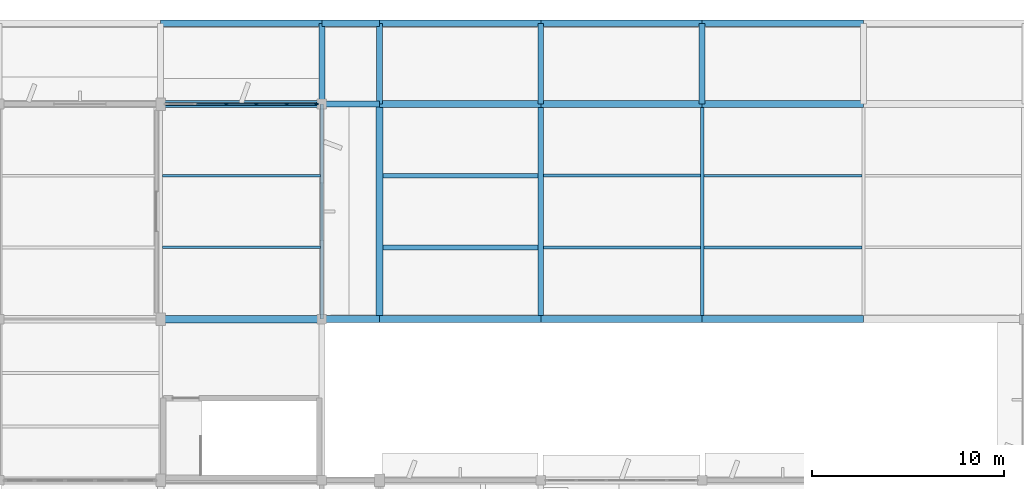
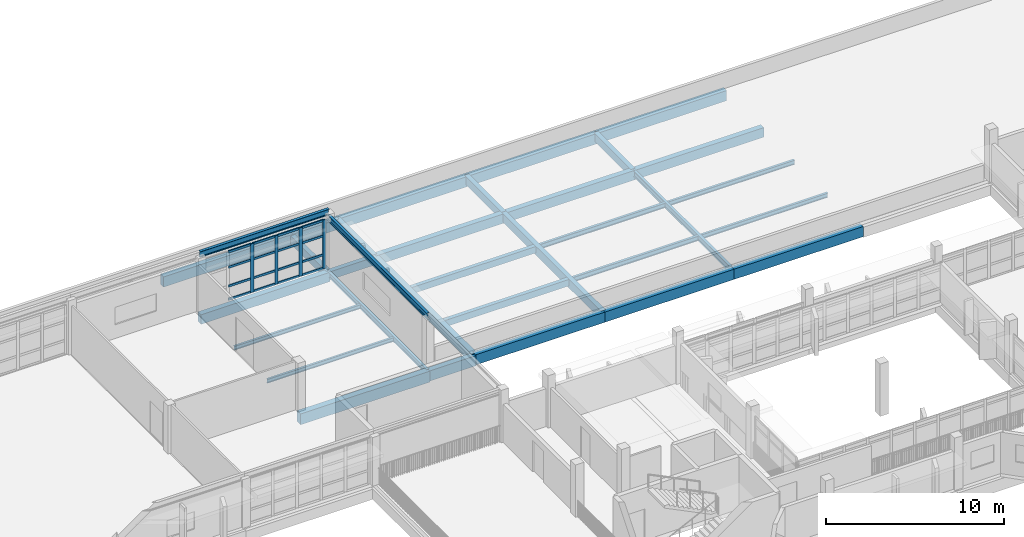
# One storey, part 34 of 92: 33 beams, 20 members, 1 element without a shape of its own.
"""IFC4 building model written with IfcOpenShell, lengths in metres."""

from ifc_helpers import new_model, si_unit, direction, frame, origin, origin_2d, place, context, subcontext, project, spatial, rectangle, i_section, extrude, material, material_profile, profile_set, type_object, element, aggregate, save


model = new_model("IFC4")

# Units and contexts
model_context = context("Model", 3, precision=1e-05, world=origin(), true_north=direction((0.0, 1.0)))
body_context = subcontext(model_context, "Body", "Model", "MODEL_VIEW")
ifc_project = project(units=[si_unit("LENGTHUNIT", "METRE"), si_unit("AREAUNIT", "SQUARE_METRE"), si_unit("VOLUMEUNIT", "CUBIC_METRE"), si_unit("PLANEANGLEUNIT", "RADIAN"), si_unit("MASSUNIT", "GRAM", prefix="KILO")], contexts=[model_context])

# Site, building, storey
site_placement = place(None, origin())
site = spatial("IfcSite", under=ifc_project, at=site_placement, CompositionType="ELEMENT")
building_placement = place(site_placement, origin())
building = spatial("IfcBuilding", under=site, at=building_placement, Name="Vanh Quang Courtyard School", CompositionType="ELEMENT")
storey_placement = place(building_placement, frame((0.0, 0.0, 7.800048828125)))
storey = spatial("IfcBuildingStorey", under=building, at=storey_placement, Name="L02", CompositionType="ELEMENT", Elevation=7.800048828125)

# Beams
ifc_material_1 = material(Name="Concrete C35/45", Category="concrete")
ifc_material_profile_1 = material_profile(ifc_material_1, rectangle(XDim=0.300048828125, YDim=0.550048828125, at=origin_2d()), Name="RC-BM 300x550")
ifc_profile_set_1 = profile_set([ifc_material_profile_1], Name="Concrete C35/45")
beam_type_1 = type_object("IfcBeamType", Name="BM-RC-300x550", PredefinedType="BEAM", material=ifc_profile_set_1)
beam_1_placement = place(storey_placement, frame((37.800048828125, 107.800048828125, -0.554931640625), z_axis=(1.0, 0.0, 0.0), x_axis=(0.0, 1.0, 0.0)))
element("IfcBeam", 1, at=beam_1_placement, inside=storey, type_object=beam_type_1, Name="Beam B-07 (L02)", PredefinedType="BEAM", context=body_context, shape_type="SweptSolid", body=[
    extrude(rectangle(XDim=0.300048828125, YDim=0.550048828125, at=origin_2d()), origin(), (0.0, 0.0, 1.0), 3.0),
])
for number, where, z_axis, x_axis, name in (
    (2, (37.800048828125, 107.800048828125, -0.554931640625), (0.0, 1.0, 0.0), (-1.0, 0.0, 0.0), "Beam B-07 (L02)"),
    (3, (40.800048828125, 107.800048828125, -0.4951171875), (0.0, 1.0, 0.0), (-1.0, 0.0, 0.0), "Beam B-07 (L02)"),
    (4, (49.199951171875, 107.800048828125, -0.4951171875), (0.0, 1.0, 0.0), (-1.0, 0.0, 0.0), "Beam B-07 (L02)"),
    (5, (57.60009765625, 107.800048828125, -0.4951171875), (0.0, 1.0, 0.0), (-1.0, 0.0, 0.0), "Beam B-07 (L02)"),
):
    element("IfcBeam", number, at=place(storey_placement, frame(where, z_axis=z_axis, x_axis=x_axis)), inside=storey, type_object=beam_type_1, Name=name, PredefinedType="BEAM", context=body_context, shape_type="SweptSolid", body=[
        extrude(rectangle(XDim=0.300048828125, YDim=0.550048828125, at=origin_2d()), origin(), (0.0, 0.0, 1.0), 4.199951171875),
    ])
ifc_material_profile_2 = material_profile(ifc_material_1, rectangle(XDim=0.300048828125, YDim=0.60009765625, at=origin_2d()), Name="RC-BM 300x600")
ifc_profile_set_2 = profile_set([ifc_material_profile_2], Name="Concrete C35/45")
beam_type_2 = type_object("IfcBeamType", Name="BM-RC-300x600", PredefinedType="BEAM", material=ifc_profile_set_2)
beam_2_placement = place(storey_placement, frame((49.199951171875, 96.60009765625, -0.52001953125), z_axis=(0.0, 1.0, 0.0), x_axis=(-1.0, 0.0, 0.0)))
element("IfcBeam", 6, at=beam_2_placement, inside=storey, type_object=beam_type_2, Name="Beam B-06 (L02)", PredefinedType="BEAM", context=body_context, shape_type="SweptSolid", body=[
    extrude(rectangle(XDim=0.300048828125, YDim=0.60009765625, at=origin_2d()), origin(), (0.0, 0.0, 1.0), 11.199951171875),
])
ifc_material_profile_3 = material_profile(ifc_material_1, rectangle(XDim=0.35009765625, YDim=0.64990234375, at=origin_2d()), Name="RC-BM 350x650")
ifc_profile_set_3 = profile_set([ifc_material_profile_3], Name="Concrete C35/45")
beam_type_3 = type_object("IfcBeamType", Name="BM-RC-350x650", PredefinedType="BEAM", material=ifc_profile_set_3)
beam_3_placement = place(storey_placement, frame((29.39990234375, 107.800048828125, -0.60498046875), z_axis=(1.0, 0.0, 0.0), x_axis=(0.0, 1.0, 0.0)))
element("IfcBeam", 7, at=beam_3_placement, inside=storey, type_object=beam_type_3, Name="Beam B-05 (L02)", PredefinedType="BEAM", context=body_context, shape_type="SweptSolid", body=[
    extrude(rectangle(XDim=0.35009765625, YDim=0.64990234375, at=origin_2d()), origin(), (0.0, 0.0, 1.0), 8.400146484375),
])
beam_4_placement = place(storey_placement, frame((40.800048828125, 107.800048828125, -0.545166015625), z_axis=(1.0, 0.0, 0.0), x_axis=(0.0, 1.0, 0.0)))
element("IfcBeam", 8, at=beam_4_placement, inside=storey, type_object=beam_type_3, Name="Beam B-05 (L02)", PredefinedType="BEAM", context=body_context, shape_type="SweptSolid", body=[
    extrude(rectangle(XDim=0.35009765625, YDim=0.64990234375, at=origin_2d()), origin(), (0.0, 0.0, 1.0), 8.39990234375),
])
beam_5_placement = place(storey_placement, frame((49.199951171875, 107.800048828125, -0.545166015625), z_axis=(1.0, 0.0, 0.0), x_axis=(0.0, 1.0, 0.0)))
element("IfcBeam", 9, at=beam_5_placement, inside=storey, type_object=beam_type_3, Name="Beam B-05 (L02)", PredefinedType="BEAM", context=body_context, shape_type="SweptSolid", body=[
    extrude(rectangle(XDim=0.35009765625, YDim=0.64990234375, at=origin_2d()), origin(), (0.0, 0.0, 1.0), 8.400146484375),
])
beam_6_placement = place(storey_placement, frame((57.60009765625, 107.800048828125, -0.545166015625), z_axis=(1.0, 0.0, 0.0), x_axis=(0.0, 1.0, 0.0)))
element("IfcBeam", 10, at=beam_6_placement, inside=storey, type_object=beam_type_3, Name="Beam B-05 (L02)", PredefinedType="BEAM", context=body_context, shape_type="SweptSolid", body=[
    extrude(rectangle(XDim=0.35009765625, YDim=0.64990234375, at=origin_2d()), origin(), (0.0, 0.0, 1.0), 8.39990234375),
])
beam_7_placement = place(storey_placement, frame((40.800048828125, 96.60009765625, -0.545166015625), z_axis=(0.0, 1.0, 0.0), x_axis=(-1.0, 0.0, 0.0)))
element("IfcBeam", 11, at=beam_7_placement, inside=storey, type_object=beam_type_3, Name="Beam B-05 (L02)", PredefinedType="BEAM", context=body_context, shape_type="SweptSolid", body=[
    extrude(rectangle(XDim=0.35009765625, YDim=0.64990234375, at=origin_2d()), origin(), (0.0, 0.0, 1.0), 11.199951171875),
])
ifc_material_profile_4 = material_profile(ifc_material_1, rectangle(XDim=0.35009765625, YDim=0.699951171875, at=origin_2d()), Name="RC-BM 350x700")
ifc_profile_set_4 = profile_set([ifc_material_profile_4], Name="Concrete C35/45")
beam_type_4 = type_object("IfcBeamType", Name="BM-RC-350x700", PredefinedType="BEAM", material=ifc_profile_set_4)
beam_8_placement = place(storey_placement, frame((37.800048828125, 96.60009765625, -0.630126953125), z_axis=(1.0, 0.0, 0.0), x_axis=(0.0, 1.0, 0.0)))
element("IfcBeam", 12, at=beam_8_placement, inside=storey, type_object=beam_type_4, Name="Beam B-04 (L02)", PredefinedType="BEAM", context=body_context, shape_type="SweptSolid", body=[
    extrude(rectangle(XDim=0.35009765625, YDim=0.699951171875, at=origin_2d()), origin(), (0.0, 0.0, 1.0), 3.0),
])
beam_9_placement = place(storey_placement, frame((40.800048828125, 96.60009765625, -0.570068359375), z_axis=(1.0, 0.0, 0.0), x_axis=(0.0, 1.0, 0.0)))
element("IfcBeam", 13, at=beam_9_placement, inside=storey, type_object=beam_type_4, Name="Beam B-04 (L02)", PredefinedType="BEAM", context=body_context, shape_type="SweptSolid", body=[
    extrude(rectangle(XDim=0.35009765625, YDim=0.699951171875, at=origin_2d()), origin(), (0.0, 0.0, 1.0), 8.39990234375),
])
beam_10_placement = place(storey_placement, frame((49.199951171875, 96.60009765625, -0.570068359375), z_axis=(1.0, 0.0, 0.0), x_axis=(0.0, 1.0, 0.0)))
element("IfcBeam", 14, at=beam_10_placement, inside=storey, type_object=beam_type_4, Name="Beam B-04 (L02)", PredefinedType="BEAM", context=body_context, shape_type="SweptSolid", body=[
    extrude(rectangle(XDim=0.35009765625, YDim=0.699951171875, at=origin_2d()), origin(), (0.0, 0.0, 1.0), 8.400146484375),
])
beam_11_placement = place(storey_placement, frame((57.60009765625, 96.60009765625, -0.570068359375), z_axis=(1.0, 0.0, 0.0), x_axis=(0.0, 1.0, 0.0)))
element("IfcBeam", 15, at=beam_11_placement, inside=storey, type_object=beam_type_4, Name="Beam B-04 (L02)", PredefinedType="BEAM", context=body_context, shape_type="SweptSolid", body=[
    extrude(rectangle(XDim=0.35009765625, YDim=0.699951171875, at=origin_2d()), origin(), (0.0, 0.0, 1.0), 8.39990234375),
])
beam_12_placement = place(storey_placement, frame((29.39990234375, 112.0, -0.570068359375), z_axis=(1.0, 0.0, 0.0), x_axis=(0.0, 1.0, 0.0)))
element("IfcBeam", 16, at=beam_12_placement, inside=storey, type_object=beam_type_4, Name="Beam B-04 (L02)", PredefinedType="BEAM", context=body_context, shape_type="SweptSolid", body=[
    extrude(rectangle(XDim=0.35009765625, YDim=0.699951171875, at=origin_2d()), origin(), (0.0, 0.0, 1.0), 8.400146484375),
])
beam_13_placement = place(storey_placement, frame((37.800048828125, 112.0, -0.570068359375), z_axis=(1.0, 0.0, 0.0), x_axis=(0.0, 1.0, 0.0)))
element("IfcBeam", 17, at=beam_13_placement, inside=storey, type_object=beam_type_4, Name="Beam B-04 (L02)", PredefinedType="BEAM", context=body_context, shape_type="SweptSolid", body=[
    extrude(rectangle(XDim=0.35009765625, YDim=0.699951171875, at=origin_2d()), origin(), (0.0, 0.0, 1.0), 3.0),
])
beam_14_placement = place(storey_placement, frame((40.800048828125, 112.0, -0.570068359375), z_axis=(1.0, 0.0, 0.0), x_axis=(0.0, 1.0, 0.0)))
element("IfcBeam", 18, at=beam_14_placement, inside=storey, type_object=beam_type_4, Name="Beam B-04 (L02)", PredefinedType="BEAM", context=body_context, shape_type="SweptSolid", body=[
    extrude(rectangle(XDim=0.35009765625, YDim=0.699951171875, at=origin_2d()), origin(), (0.0, 0.0, 1.0), 8.39990234375),
])
beam_15_placement = place(storey_placement, frame((49.199951171875, 112.0, -0.570068359375), z_axis=(1.0, 0.0, 0.0), x_axis=(0.0, 1.0, 0.0)))
element("IfcBeam", 19, at=beam_15_placement, inside=storey, type_object=beam_type_4, Name="Beam B-04 (L02)", PredefinedType="BEAM", context=body_context, shape_type="SweptSolid", body=[
    extrude(rectangle(XDim=0.35009765625, YDim=0.699951171875, at=origin_2d()), origin(), (0.0, 0.0, 1.0), 8.400146484375),
])
beam_16_placement = place(storey_placement, frame((57.60009765625, 112.0, -0.570068359375), z_axis=(1.0, 0.0, 0.0), x_axis=(0.0, 1.0, 0.0)))
element("IfcBeam", 20, at=beam_16_placement, inside=storey, type_object=beam_type_4, Name="Beam B-04 (L02)", PredefinedType="BEAM", context=body_context, shape_type="SweptSolid", body=[
    extrude(rectangle(XDim=0.35009765625, YDim=0.699951171875, at=origin_2d()), origin(), (0.0, 0.0, 1.0), 8.39990234375),
])
ifc_material_profile_5 = material_profile(ifc_material_1, rectangle(XDim=0.39990234375, YDim=0.75, at=origin_2d()), Name="RC-BM 400x750")
ifc_profile_set_5 = profile_set([ifc_material_profile_5], Name="Concrete C35/45")
beam_type_5 = type_object("IfcBeamType", Name="BM-RC-400x750", PredefinedType="BEAM", material=ifc_profile_set_5)
beam_17_placement = place(storey_placement, frame((29.39990234375, 96.60009765625, -0.655029296875), z_axis=(1.0, 0.0, 0.0), x_axis=(0.0, 1.0, 0.0)))
element("IfcBeam", 21, at=beam_17_placement, inside=storey, type_object=beam_type_5, Name="Beam B-03 (L02)", PredefinedType="BEAM", context=body_context, shape_type="SweptSolid", body=[
    extrude(rectangle(XDim=0.39990234375, YDim=0.75, at=origin_2d()), origin(), (0.0, 0.0, 1.0), 8.400146484375),
])
ifc_material_2 = material(Name="Structural steel EN 10025-2 S355J2", Category="steel")
ifc_material_profile_6 = material_profile(ifc_material_2, i_section(OverallWidth=0.169921875, OverallDepth=0.360107421875, WebThickness=0.008056640625, FlangeThickness=0.0126953125, FilletRadius=0.01806640625, at=origin_2d()), Name="IPE 360")
ifc_profile_set_6 = profile_set([ifc_material_profile_6], Name="Structural steel EN 10025-2 S355J2")
beam_type_6 = type_object("IfcBeamType", Name="BM-STL-IPE360", PredefinedType="BEAM", material=ifc_profile_set_6)
beam_18_placement = place(storey_placement, frame((37.800048828125, 96.60009765625, -0.4599609375), z_axis=(0.0, 1.0, 0.0), x_axis=(-1.0, 0.0, 0.0)))
element("IfcBeam", 22, at=beam_18_placement, inside=storey, type_object=beam_type_6, Name="Beam SB-06 (L02)", PredefinedType="BEAM", context=body_context, shape_type="SweptSolid", body=[
    extrude(i_section(OverallWidth=0.169921875, OverallDepth=0.360107421875, WebThickness=0.008056640625, FlangeThickness=0.0126953125, FilletRadius=0.01806640625, at=origin_2d()), origin(), (0.0, 0.0, 1.0), 11.199951171875),
])
ifc_material_profile_7 = material_profile(ifc_material_2, i_section(OverallWidth=0.179931640625, OverallDepth=0.39990234375, WebThickness=0.008544921875, FlangeThickness=0.013427734375, FilletRadius=0.02099609375, at=origin_2d()), Name="IPE 400")
ifc_profile_set_7 = profile_set([ifc_material_profile_7], Name="Structural steel EN 10025-2 S355J2")
beam_type_7 = type_object("IfcBeamType", Name="BM-STL-IPE400", PredefinedType="BEAM", material=ifc_profile_set_7)
beam_19_placement = place(storey_placement, frame((57.60009765625, 96.60009765625, -0.420166015625), z_axis=(0.0, 1.0, 0.0), x_axis=(-1.0, 0.0, 0.0)))
element("IfcBeam", 23, at=beam_19_placement, inside=storey, type_object=beam_type_7, Name="Beam SB-05 (L02)", PredefinedType="BEAM", context=body_context, shape_type="SweptSolid", body=[
    extrude(i_section(OverallWidth=0.179931640625, OverallDepth=0.39990234375, WebThickness=0.008544921875, FlangeThickness=0.013427734375, FilletRadius=0.02099609375, at=origin_2d()), origin(), (0.0, 0.0, 1.0), 11.199951171875),
])
beam_20_placement = place(storey_placement, frame((29.39990234375, 107.800048828125, 3.800048828125), z_axis=(1.0, 0.0, 0.0), x_axis=(0.0, 1.0, 0.0)))
element("IfcBeam", 24, at=beam_20_placement, inside=storey, type_object=beam_type_7, Name="Beam SB-05 (L02)", PredefinedType="BEAM", context=body_context, shape_type="SweptSolid", body=[
    extrude(i_section(OverallWidth=0.179931640625, OverallDepth=0.39990234375, WebThickness=0.008544921875, FlangeThickness=0.013427734375, FilletRadius=0.02099609375, at=origin_2d()), origin(), (0.0, 0.0, 1.0), 8.400146484375),
])
beam_21_placement = place(storey_placement, frame((37.800048828125, 96.60009765625, 3.39990234375), z_axis=(0.0, 1.0, 0.0), x_axis=(-1.0, 0.0, 0.0)))
element("IfcBeam", 25, at=beam_21_placement, inside=storey, type_object=beam_type_7, Name="Beam SB-05 (L02)", PredefinedType="BEAM", context=body_context, shape_type="SweptSolid", body=[
    extrude(i_section(OverallWidth=0.179931640625, OverallDepth=0.39990234375, WebThickness=0.008544921875, FlangeThickness=0.013427734375, FilletRadius=0.02099609375, at=origin_2d()), origin(), (0.0, 0.0, 1.0), 11.199951171875),
])

# Curtain wall, members
ifc_material_3 = material(Name="Thermally broken aluminium unitised curtain wall", Category="aluminium")
curtain_wall_type = type_object("IfcCurtainWallType", Name="CW-SYS-58", PredefinedType="NOTDEFINED", material=ifc_material_3)
curtain_wall_placement = place(storey_placement, origin())
curtain_wall = element("IfcCurtainWall", 26, at=curtain_wall_placement, inside=storey, type_object=curtain_wall_type, Name="Curtain Wall CW-58 (L02)", PredefinedType="NOTDEFINED")
ifc_material_4 = material(Name="Anodised aluminium 6063-T6", Category="aluminium")
ifc_material_profile_8 = material_profile(ifc_material_4, rectangle(XDim=0.080078125, YDim=0.199951171875, at=origin_2d()), Name="ALU-MUL 80x200")
ifc_profile_set_8 = profile_set([ifc_material_profile_8], Name="Anodised aluminium 6063-T6")
member_type_1 = type_object("IfcMemberType", Name="CW-MUL-80x200", PredefinedType="MULLION", material=ifc_profile_set_8)
member_1_placement = place(storey_placement, frame((32.8115234375, 107.800048828125, 0.0), z_axis=(0.0, 0.0, 1.0), x_axis=(0.0, 1.0, 0.0)))
member_1 = element("IfcMember", 27, at=member_1_placement, type_object=member_type_1, Name="CW-58 mullion 3", PredefinedType="MULLION", context=body_context, shape_type="SweptSolid", body=[
    extrude(rectangle(XDim=0.080078125, YDim=0.199951171875, at=origin_2d()), origin(), (0.0, 0.0, 1.0), 3.33984375),
])
member_2_placement = place(storey_placement, frame((34.388427734375, 107.800048828125, 0.0), z_axis=(0.0, 0.0, 1.0), x_axis=(0.0, 1.0, 0.0)))
member_2 = element("IfcMember", 28, at=member_2_placement, type_object=member_type_1, Name="CW-58 mullion 4", PredefinedType="MULLION", context=body_context, shape_type="SweptSolid", body=[
    extrude(rectangle(XDim=0.080078125, YDim=0.199951171875, at=origin_2d()), origin(), (0.0, 0.0, 1.0), 3.33984375),
])
member_3_placement = place(storey_placement, frame((35.965087890625, 107.800048828125, 0.0), z_axis=(0.0, 0.0, 1.0), x_axis=(0.0, 1.0, 0.0)))
member_3 = element("IfcMember", 29, at=member_3_placement, type_object=member_type_1, Name="CW-58 mullion 5", PredefinedType="MULLION", context=body_context, shape_type="SweptSolid", body=[
    extrude(rectangle(XDim=0.080078125, YDim=0.199951171875, at=origin_2d()), origin(), (0.0, 0.0, 1.0), 3.33984375),
])
member_4_placement = place(storey_placement, frame((37.501953125, 107.800048828125, 0.0), z_axis=(0.0, 0.0, 1.0), x_axis=(0.0, 1.0, 0.0)))
member_4 = element("IfcMember", 30, at=member_4_placement, type_object=member_type_1, Name="CW-58 mullion 6", PredefinedType="MULLION", context=body_context, shape_type="SweptSolid", body=[
    extrude(rectangle(XDim=0.080078125, YDim=0.199951171875, at=origin_2d()), origin(), (0.0, 0.0, 1.0), 3.33984375),
])
ifc_material_profile_9 = material_profile(ifc_material_4, rectangle(XDim=0.080078125, YDim=0.14990234375, at=origin_2d()), Name="ALU-TRN 80x150")
ifc_profile_set_9 = profile_set([ifc_material_profile_9], Name="Anodised aluminium 6063-T6")
member_type_2 = type_object("IfcMemberType", Name="CW-TRN-80x150", PredefinedType="USERDEFINED", material=ifc_profile_set_9)
member_5_placement = place(storey_placement, frame((31.27490234375, 107.800048828125, 0.0400390625), z_axis=(1.0, 0.0, 0.0), x_axis=(0.0, 1.0, 0.0)))
member_5 = element("IfcMember", 31, at=member_5_placement, type_object=member_type_2, Name="CW-58 transom 2.1", ObjectType="TRANSOM", PredefinedType="USERDEFINED", context=body_context, shape_type="SweptSolid", body=[
    extrude(rectangle(XDim=0.080078125, YDim=0.14990234375, at=origin_2d()), origin(), (0.0, 0.0, 1.0), 1.49658203125),
])
member_6_placement = place(storey_placement, frame((31.27490234375, 107.800048828125, 0.949951171875), z_axis=(1.0, 0.0, 0.0), x_axis=(0.0, 1.0, 0.0)))
member_6 = element("IfcMember", 32, at=member_6_placement, type_object=member_type_2, Name="CW-58 transom 2.2", ObjectType="TRANSOM", PredefinedType="USERDEFINED", context=body_context, shape_type="SweptSolid", body=[
    extrude(rectangle(XDim=0.080078125, YDim=0.14990234375, at=origin_2d()), origin(), (0.0, 0.0, 1.0), 1.49658203125),
])
member_7_placement = place(storey_placement, frame((31.27490234375, 107.800048828125, 2.25), z_axis=(1.0, 0.0, 0.0), x_axis=(0.0, 1.0, 0.0)))
member_7 = element("IfcMember", 33, at=member_7_placement, type_object=member_type_2, Name="CW-58 transom 2.3", ObjectType="TRANSOM", PredefinedType="USERDEFINED", context=body_context, shape_type="SweptSolid", body=[
    extrude(rectangle(XDim=0.080078125, YDim=0.14990234375, at=origin_2d()), origin(), (0.0, 0.0, 1.0), 1.49658203125),
])
member_8_placement = place(storey_placement, frame((31.27490234375, 107.800048828125, 3.300048828125), z_axis=(1.0, 0.0, 0.0), x_axis=(0.0, 1.0, 0.0)))
member_8 = element("IfcMember", 34, at=member_8_placement, type_object=member_type_2, Name="CW-58 transom 2.4", ObjectType="TRANSOM", PredefinedType="USERDEFINED", context=body_context, shape_type="SweptSolid", body=[
    extrude(rectangle(XDim=0.080078125, YDim=0.14990234375, at=origin_2d()), origin(), (0.0, 0.0, 1.0), 1.49658203125),
])
member_9_placement = place(storey_placement, frame((32.8515625, 107.800048828125, 0.0400390625), z_axis=(1.0, 0.0, 0.0), x_axis=(0.0, 1.0, 0.0)))
member_9 = element("IfcMember", 35, at=member_9_placement, type_object=member_type_2, Name="CW-58 transom 3.1", ObjectType="TRANSOM", PredefinedType="USERDEFINED", context=body_context, shape_type="SweptSolid", body=[
    extrude(rectangle(XDim=0.080078125, YDim=0.14990234375, at=origin_2d()), origin(), (0.0, 0.0, 1.0), 1.496826171875),
])
member_10_placement = place(storey_placement, frame((32.8515625, 107.800048828125, 0.949951171875), z_axis=(1.0, 0.0, 0.0), x_axis=(0.0, 1.0, 0.0)))
member_10 = element("IfcMember", 36, at=member_10_placement, type_object=member_type_2, Name="CW-58 transom 3.2", ObjectType="TRANSOM", PredefinedType="USERDEFINED", context=body_context, shape_type="SweptSolid", body=[
    extrude(rectangle(XDim=0.080078125, YDim=0.14990234375, at=origin_2d()), origin(), (0.0, 0.0, 1.0), 1.496826171875),
])
member_11_placement = place(storey_placement, frame((32.8515625, 107.800048828125, 2.25), z_axis=(1.0, 0.0, 0.0), x_axis=(0.0, 1.0, 0.0)))
member_11 = element("IfcMember", 37, at=member_11_placement, type_object=member_type_2, Name="CW-58 transom 3.3", ObjectType="TRANSOM", PredefinedType="USERDEFINED", context=body_context, shape_type="SweptSolid", body=[
    extrude(rectangle(XDim=0.080078125, YDim=0.14990234375, at=origin_2d()), origin(), (0.0, 0.0, 1.0), 1.496826171875),
])
member_12_placement = place(storey_placement, frame((32.8515625, 107.800048828125, 3.300048828125), z_axis=(1.0, 0.0, 0.0), x_axis=(0.0, 1.0, 0.0)))
member_12 = element("IfcMember", 38, at=member_12_placement, type_object=member_type_2, Name="CW-58 transom 3.4", ObjectType="TRANSOM", PredefinedType="USERDEFINED", context=body_context, shape_type="SweptSolid", body=[
    extrude(rectangle(XDim=0.080078125, YDim=0.14990234375, at=origin_2d()), origin(), (0.0, 0.0, 1.0), 1.496826171875),
])
member_13_placement = place(storey_placement, frame((34.428466796875, 107.800048828125, 0.0400390625), z_axis=(1.0, 0.0, 0.0), x_axis=(0.0, 1.0, 0.0)))
member_13 = element("IfcMember", 39, at=member_13_placement, type_object=member_type_2, Name="CW-58 transom 4.1", ObjectType="TRANSOM", PredefinedType="USERDEFINED", context=body_context, shape_type="SweptSolid", body=[
    extrude(rectangle(XDim=0.080078125, YDim=0.14990234375, at=origin_2d()), origin(), (0.0, 0.0, 1.0), 1.496826171875),
])
member_14_placement = place(storey_placement, frame((34.428466796875, 107.800048828125, 0.949951171875), z_axis=(1.0, 0.0, 0.0), x_axis=(0.0, 1.0, 0.0)))
member_14 = element("IfcMember", 40, at=member_14_placement, type_object=member_type_2, Name="CW-58 transom 4.2", ObjectType="TRANSOM", PredefinedType="USERDEFINED", context=body_context, shape_type="SweptSolid", body=[
    extrude(rectangle(XDim=0.080078125, YDim=0.14990234375, at=origin_2d()), origin(), (0.0, 0.0, 1.0), 1.496826171875),
])
member_15_placement = place(storey_placement, frame((34.428466796875, 107.800048828125, 2.25), z_axis=(1.0, 0.0, 0.0), x_axis=(0.0, 1.0, 0.0)))
member_15 = element("IfcMember", 41, at=member_15_placement, type_object=member_type_2, Name="CW-58 transom 4.3", ObjectType="TRANSOM", PredefinedType="USERDEFINED", context=body_context, shape_type="SweptSolid", body=[
    extrude(rectangle(XDim=0.080078125, YDim=0.14990234375, at=origin_2d()), origin(), (0.0, 0.0, 1.0), 1.496826171875),
])
member_16_placement = place(storey_placement, frame((34.428466796875, 107.800048828125, 3.300048828125), z_axis=(1.0, 0.0, 0.0), x_axis=(0.0, 1.0, 0.0)))
member_16 = element("IfcMember", 42, at=member_16_placement, type_object=member_type_2, Name="CW-58 transom 4.4", ObjectType="TRANSOM", PredefinedType="USERDEFINED", context=body_context, shape_type="SweptSolid", body=[
    extrude(rectangle(XDim=0.080078125, YDim=0.14990234375, at=origin_2d()), origin(), (0.0, 0.0, 1.0), 1.496826171875),
])
member_17_placement = place(storey_placement, frame((36.005126953125, 107.800048828125, 0.0400390625), z_axis=(1.0, 0.0, 0.0), x_axis=(0.0, 1.0, 0.0)))
member_17 = element("IfcMember", 43, at=member_17_placement, type_object=member_type_2, Name="CW-58 transom 5.1", ObjectType="TRANSOM", PredefinedType="USERDEFINED", context=body_context, shape_type="SweptSolid", body=[
    extrude(rectangle(XDim=0.080078125, YDim=0.14990234375, at=origin_2d()), origin(), (0.0, 0.0, 1.0), 1.456787109375),
])
member_18_placement = place(storey_placement, frame((36.005126953125, 107.800048828125, 0.949951171875), z_axis=(1.0, 0.0, 0.0), x_axis=(0.0, 1.0, 0.0)))
member_18 = element("IfcMember", 44, at=member_18_placement, type_object=member_type_2, Name="CW-58 transom 5.2", ObjectType="TRANSOM", PredefinedType="USERDEFINED", context=body_context, shape_type="SweptSolid", body=[
    extrude(rectangle(XDim=0.080078125, YDim=0.14990234375, at=origin_2d()), origin(), (0.0, 0.0, 1.0), 1.456787109375),
])
member_19_placement = place(storey_placement, frame((36.005126953125, 107.800048828125, 2.25), z_axis=(1.0, 0.0, 0.0), x_axis=(0.0, 1.0, 0.0)))
member_19 = element("IfcMember", 45, at=member_19_placement, type_object=member_type_2, Name="CW-58 transom 5.3", ObjectType="TRANSOM", PredefinedType="USERDEFINED", context=body_context, shape_type="SweptSolid", body=[
    extrude(rectangle(XDim=0.080078125, YDim=0.14990234375, at=origin_2d()), origin(), (0.0, 0.0, 1.0), 1.456787109375),
])
member_20_placement = place(storey_placement, frame((36.005126953125, 107.800048828125, 3.300048828125), z_axis=(1.0, 0.0, 0.0), x_axis=(0.0, 1.0, 0.0)))
member_20 = element("IfcMember", 46, at=member_20_placement, type_object=member_type_2, Name="CW-58 transom 5.4", ObjectType="TRANSOM", PredefinedType="USERDEFINED", context=body_context, shape_type="SweptSolid", body=[
    extrude(rectangle(XDim=0.080078125, YDim=0.14990234375, at=origin_2d()), origin(), (0.0, 0.0, 1.0), 1.456787109375),
])
aggregate(curtain_wall, [member_1, member_2, member_3, member_4, member_5, member_6, member_7, member_8, member_9, member_10, member_11, member_12, member_13, member_14, member_15, member_16, member_17, member_18, member_19, member_20])

# Beams
ifc_material_5 = material(Name="Concrete C30/37", Category="concrete")
ifc_material_profile_10 = material_profile(ifc_material_5, rectangle(XDim=0.25, YDim=0.449951171875, at=origin_2d()), Name="RC-JST 250x450")
ifc_profile_set_10 = profile_set([ifc_material_profile_10], Name="Concrete C30/37")
beam_type_8 = type_object("IfcBeamType", Name="JST-RC-250x450", PredefinedType="JOIST", material=ifc_profile_set_10)
for number, where, z_axis, x_axis, name in (
    (47, (40.97509765625, 100.333251953125, -0.445068359375), (1.0, 0.0, 0.0), (0.0, 1.0, 0.0), "Beam BJ-02 (L02)"),
    (48, (40.97509765625, 104.066650390625, -0.445068359375), (1.0, 0.0, 0.0), (0.0, 1.0, 0.0), "Beam BJ-02 (L02)"),
):
    element("IfcBeam", number, at=place(storey_placement, frame(where, z_axis=z_axis, x_axis=x_axis)), inside=storey, type_object=beam_type_8, Name=name, PredefinedType="JOIST", context=body_context, shape_type="SweptSolid", body=[
        extrude(rectangle(XDim=0.25, YDim=0.449951171875, at=origin_2d()), origin(), (0.0, 0.0, 1.0), 8.074951171875),
    ])
ifc_material_profile_11 = material_profile(ifc_material_2, i_section(OverallWidth=0.135009765625, OverallDepth=0.27001953125, WebThickness=0.006591796875, FlangeThickness=0.01025390625, FilletRadius=0.014892578125, at=origin_2d()), Name="IPE 270")
ifc_profile_set_11 = profile_set([ifc_material_profile_11], Name="Structural steel EN 10025-2 S355J2")
beam_type_9 = type_object("IfcBeamType", Name="JST-STL-IPE270", PredefinedType="JOIST", material=ifc_profile_set_11)
for number, where, z_axis, x_axis, name in (
    (49, (29.489990234375, 100.333251953125, -0.4150390625), (1.0, 0.0, 0.0), (0.0, 1.0, 0.0), "Beam SJ-03 (L02)"),
    (50, (29.489990234375, 104.066650390625, -0.4150390625), (1.0, 0.0, 0.0), (0.0, 1.0, 0.0), "Beam SJ-03 (L02)"),
):
    element("IfcBeam", number, at=place(storey_placement, frame(where, z_axis=z_axis, x_axis=x_axis)), inside=storey, type_object=beam_type_9, Name=name, PredefinedType="JOIST", context=body_context, shape_type="SweptSolid", body=[
        extrude(i_section(OverallWidth=0.135009765625, OverallDepth=0.27001953125, WebThickness=0.006591796875, FlangeThickness=0.01025390625, FilletRadius=0.014892578125, at=origin_2d()), origin(), (0.0, 0.0, 1.0), 8.22509765625),
    ])
ifc_material_profile_12 = material_profile(ifc_material_2, i_section(OverallWidth=0.14990234375, OverallDepth=0.300048828125, WebThickness=0.007080078125, FlangeThickness=0.0107421875, FilletRadius=0.014892578125, at=origin_2d()), Name="IPE 300")
ifc_profile_set_12 = profile_set([ifc_material_profile_12], Name="Structural steel EN 10025-2 S355J2")
beam_type_10 = type_object("IfcBeamType", Name="JST-STL-IPE300", PredefinedType="JOIST", material=ifc_profile_set_12)
for number, where, z_axis, x_axis, name in (
    (51, (57.68994140625, 100.333251953125, -0.3701171875), (1.0, 0.0, 0.0), (0.0, 1.0, 0.0), "Beam SJ-02 (L02)"),
    (52, (57.68994140625, 104.066650390625, -0.3701171875), (1.0, 0.0, 0.0), (0.0, 1.0, 0.0), "Beam SJ-02 (L02)"),
):
    element("IfcBeam", number, at=place(storey_placement, frame(where, z_axis=z_axis, x_axis=x_axis)), inside=storey, type_object=beam_type_10, Name=name, PredefinedType="JOIST", context=body_context, shape_type="SweptSolid", body=[
        extrude(i_section(OverallWidth=0.14990234375, OverallDepth=0.300048828125, WebThickness=0.007080078125, FlangeThickness=0.0107421875, FilletRadius=0.014892578125, at=origin_2d()), origin(), (0.0, 0.0, 1.0), 8.22509765625),
    ])
ifc_material_profile_13 = material_profile(ifc_material_2, i_section(OverallWidth=0.159912109375, OverallDepth=0.330078125, WebThickness=0.007568359375, FlangeThickness=0.011474609375, FilletRadius=0.01806640625, at=origin_2d()), Name="IPE 330")
ifc_profile_set_13 = profile_set([ifc_material_profile_13], Name="Structural steel EN 10025-2 S355J2")
beam_type_11 = type_object("IfcBeamType", Name="JST-STL-IPE330", PredefinedType="JOIST", material=ifc_profile_set_13)
for number, where, z_axis, x_axis, name in (
    (53, (49.35009765625, 100.333251953125, -0.385009765625), (1.0, 0.0, 0.0), (0.0, 1.0, 0.0), "Beam SJ-01 (L02)"),
    (54, (49.35009765625, 104.066650390625, -0.385009765625), (1.0, 0.0, 0.0), (0.0, 1.0, 0.0), "Beam SJ-01 (L02)"),
):
    element("IfcBeam", number, at=place(storey_placement, frame(where, z_axis=z_axis, x_axis=x_axis)), inside=storey, type_object=beam_type_11, Name=name, PredefinedType="JOIST", context=body_context, shape_type="SweptSolid", body=[
        extrude(i_section(OverallWidth=0.159912109375, OverallDepth=0.330078125, WebThickness=0.007568359375, FlangeThickness=0.011474609375, FilletRadius=0.01806640625, at=origin_2d()), origin(), (0.0, 0.0, 1.0), 8.159912109375),
    ])

save(model, "model.ifc")
